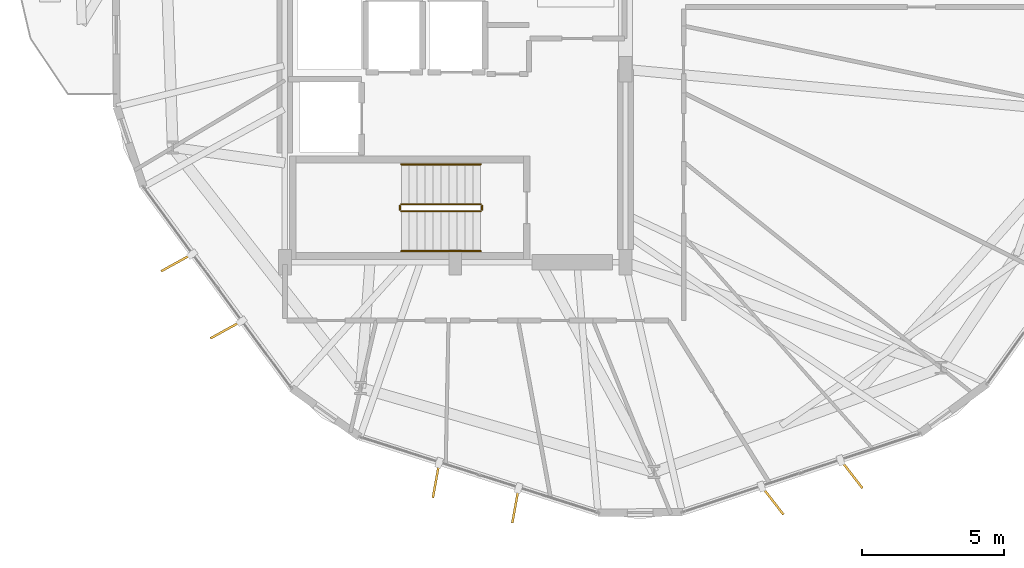
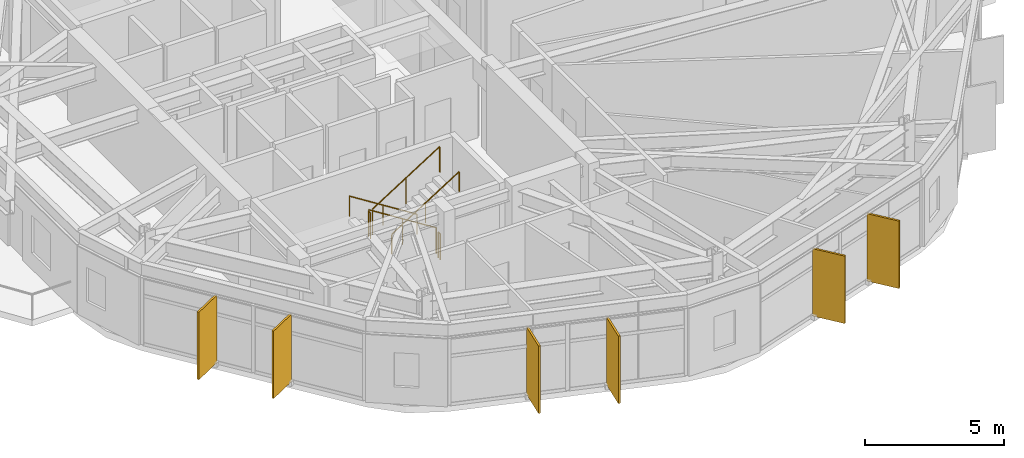
# One storey, part 25 of 27: 6 railings, 6 shading devices.
"""IFC4 building model written with IfcOpenShell, lengths in metres."""

import ifcopenshell
import ifcopenshell.guid

model = None  # the IFC model being written
_history = None  # IfcOwnerHistory: only IFC2X3 demands one
_inside = {}  # id of a spatial element -> (the spatial element, [elements in it])
_under = {}  # id of a project, library or spatial element -> (it, [spatial elements below it])
_declared = {}  # id of a project -> (the project, [libraries it declares])
_typed = {}  # id of a type object -> (the type object, [elements of that type])
_made_of = {}  # id of a material, layer set ... -> (it, [elements and type objects made of it])


def new_model(schema):
    """Start an empty IFC model of exactly this schema.

    Asked for "IFC4X3", IfcOpenShell would pick the latest addendum, in which some entities
    have other attributes; the version numbers below select the first issue.
    IFC2X3 requires an IfcOwnerHistory on every rooted entity: one is made here for all.
    """
    global model, _history
    if schema == "IFC4X3":
        model = ifcopenshell.file(schema_version=(4, 3, 0, 0))
    else:
        model = ifcopenshell.file(schema=schema)
    _inside.clear()
    _under.clear()
    _declared.clear()
    _typed.clear()
    _made_of.clear()
    _history = None
    if model.schema == "IFC2X3":
        org = make("IfcOrganization", Name="unknown")
        user = make(
            "IfcPersonAndOrganization",
            ThePerson=make("IfcPerson", FamilyName="unknown"),
            TheOrganization=org,
        )
        app = make(
            "IfcApplication",
            ApplicationDeveloper=org,
            Version="unknown",
            ApplicationFullName="unknown",
            ApplicationIdentifier="unknown",
        )
        _history = make(
            "IfcOwnerHistory",
            OwningUser=user,
            OwningApplication=app,
            ChangeAction="ADDED",
            CreationDate=0,
        )
    return model


def make(cls, **values):
    """One entity of the class cls with the attributes given. An attribute that is None is left unset."""
    return model.create_entity(
        cls, **{name: value for name, value in values.items() if value is not None}
    )


def rooted(cls, **values):
    """An entity with a GlobalId (a new one), such as an element, a storey or a relation."""
    return make(cls, GlobalId=ifcopenshell.guid.new(), OwnerHistory=_history, **values)


def si_unit(unit_type, name, prefix=None):
    """IfcSIUnit, for example si_unit("LENGTHUNIT", "METRE", prefix="MILLI")."""
    return make("IfcSIUnit", UnitType=unit_type, Prefix=prefix, Name=name)


def assignment(units):
    """IfcUnitAssignment: the units of a project."""
    return None if units is None else make("IfcUnitAssignment", Units=units)


def point(xyz):
    """IfcCartesianPoint."""
    return None if xyz is None else make("IfcCartesianPoint", Coordinates=xyz)


def direction(xyz):
    """IfcDirection."""
    return None if xyz is None else make("IfcDirection", DirectionRatios=xyz)


def frame(location, z_axis=None, x_axis=None):
    """IfcAxis2Placement3D, a coordinate frame: its origin and axes. An axis left out is left unset."""
    return make(
        "IfcAxis2Placement3D",
        Location=point(location),
        Axis=direction(z_axis),
        RefDirection=direction(x_axis),
    )


def frame_2d(location, x_axis=None):
    """IfcAxis2Placement2D, a coordinate frame in the plane: its origin and x axis."""
    return make(
        "IfcAxis2Placement2D", Location=point(location), RefDirection=direction(x_axis)
    )


def origin():
    """The frame at (0, 0, 0) with its axes left unset."""
    return frame((0.0, 0.0, 0.0))


def origin_2d():
    """The frame at (0, 0) in the plane with its x axis left unset."""
    return frame_2d((0.0, 0.0))


def place(relative_to, where):
    """IfcLocalPlacement: puts the frame where relative to a parent placement (None: the world)."""
    return make(
        "IfcLocalPlacement", PlacementRelTo=relative_to, RelativePlacement=where
    )


def context(
    kind, dimensions, precision=None, world=None, true_north=None, identifier=None
):
    """IfcGeometricRepresentationContext, for example the 3D "Model" context."""
    return make(
        "IfcGeometricRepresentationContext",
        ContextIdentifier=identifier,
        ContextType=kind,
        CoordinateSpaceDimension=dimensions,
        Precision=precision,
        WorldCoordinateSystem=world,
        TrueNorth=true_north,
    )


def subcontext(parent, identifier, kind, view, scale=None):
    """IfcGeometricRepresentationSubContext, for example "Body" below "Model"."""
    return make(
        "IfcGeometricRepresentationSubContext",
        ContextIdentifier=identifier,
        ContextType=kind,
        ParentContext=parent,
        TargetScale=scale,
        TargetView=view,
    )


def project(units=None, contexts=None):
    """IfcProject with its units and contexts."""
    return rooted(
        "IfcProject",
        Name="project",
        RepresentationContexts=contexts,
        UnitsInContext=assignment(units),
    )


def spatial(cls, under=None, at=None, **own):
    """A site, building, storey or space (cls), placed at a placement, below another one or the project."""
    s = rooted(cls, ObjectPlacement=at, **own)
    if under is not None:
        _under.setdefault(under.id(), (under, []))[1].append(s)
    return s


def profile(cls, at=None, kind="AREA", **sizes):
    """A parametric profile (cls). Its sizes go by their IFC names, for example OverallWidth=200.0."""
    return make(cls, ProfileType=kind, Position=at, **sizes)


def rectangle(**sizes):
    """IfcRectangleProfileDef."""
    return profile("IfcRectangleProfileDef", **sizes)


def circle(**sizes):
    """IfcCircleProfileDef."""
    return profile("IfcCircleProfileDef", **sizes)


def extrude(swept, where, along, depth):
    """IfcExtrudedAreaSolid: the profile swept, set in the frame where, extruded along a direction by depth."""
    return make(
        "IfcExtrudedAreaSolid",
        SweptArea=swept,
        Position=where,
        ExtrudedDirection=direction(along),
        Depth=depth,
    )


def shape(context_of_items, identifier, shape_type, items):
    """IfcShapeRepresentation: the items that make up one representation, for example the "Body"."""
    return make(
        "IfcShapeRepresentation",
        ContextOfItems=context_of_items,
        RepresentationIdentifier=identifier,
        RepresentationType=shape_type,
        Items=items,
    )


def material(Name=None, Category=None):
    """IfcMaterial."""
    return make("IfcMaterial", Name=Name, Category=Category)


def layer(
    of_material, thickness, ventilated=None, Name=None, Category=None, Priority=None
):
    """IfcMaterialLayer: one layer of a wall or slab, of a material (None: an air gap)."""
    return make(
        "IfcMaterialLayer",
        Material=of_material,
        LayerThickness=thickness,
        IsVentilated=ventilated,
        Name=Name,
        Category=Category,
        Priority=Priority,
    )


def layer_set(layers, Name=None):
    """IfcMaterialLayerSet."""
    return make("IfcMaterialLayerSet", MaterialLayers=layers, LayerSetName=Name)


def made_of(thing, what):
    """Note that an element or type object is made of a material, layer set ...; save() writes the relation."""
    if what is not None:
        _made_of.setdefault(what.id(), (what, []))[1].append(thing)
    return thing


def type_object(cls, material=None, **own):
    """A type object (cls), such as IfcWallType, which elements share."""
    return made_of(rooted(cls, **own), material)


def element(
    cls,
    number,
    at=None,
    inside=None,
    cuts=None,
    type_object=None,
    material=None,
    context=None,
    identifier="Body",
    shape_type=None,
    held_by="IfcProductDefinitionShape",
    body=None,
    shapes=None,
    **own,
):
    """One element of the class cls, such as IfcWall. Its Tag is "e" and its number.

    at: its placement. inside: the storey or other place that contains it. cuts: it is an
    opening in that element (IfcRelVoidsElement). A single representation is given by context,
    identifier, shape_type and body (its items); several are given by shapes. held_by: the class
    of the entity that holds the representations. save() writes the other relations.
    """
    e = rooted(cls, Tag="e%d" % number, ObjectPlacement=at, **own)
    if body is not None:
        shapes = [shape(context, identifier, shape_type, body)]
    if shapes is not None:
        e.Representation = make(held_by, Representations=shapes)
    if inside is not None:
        _inside.setdefault(inside.id(), (inside, []))[1].append(e)
    if cuts is not None:
        rooted(
            "IfcRelVoidsElement", RelatingBuildingElement=cuts, RelatedOpeningElement=e
        )
    if type_object is not None:
        _typed.setdefault(type_object.id(), (type_object, []))[1].append(e)
    return made_of(e, material)


def aggregate(whole, parts):
    """IfcRelAggregates: a whole, such as a stair, and the parts it consists of."""
    return rooted("IfcRelAggregates", RelatingObject=whole, RelatedObjects=parts)


def save(model, path):
    """Write the relations noted so far, then the file.

    IfcRelAggregates (storeys below a building ...), IfcRelContainedInSpatialStructure (elements
    in a storey), IfcRelDefinesByType, IfcRelAssociatesMaterial and IfcRelDeclares: one each for
    every whole, place, type object, material and project.
    """
    for whole, parts in _under.values():
        aggregate(whole, parts)
    for where, things in _inside.values():
        rooted(
            "IfcRelContainedInSpatialStructure",
            RelatedElements=things,
            RelatingStructure=where,
        )
    for kind, things in _typed.values():
        rooted("IfcRelDefinesByType", RelatedObjects=things, RelatingType=kind)
    for what, things in _made_of.values():
        rooted("IfcRelAssociatesMaterial", RelatedObjects=things, RelatingMaterial=what)
    for by, libraries in _declared.values():
        rooted("IfcRelDeclares", RelatingContext=by, RelatedDefinitions=libraries)
    model.write(path)


model = new_model("IFC4")

# Units and contexts
model_context = context("Model", 3, precision=1e-05, world=origin(), true_north=direction((0.0, 1.0)))
body_context = subcontext(model_context, "Body", "Model", "MODEL_VIEW")
ifc_project = project(units=[si_unit("LENGTHUNIT", "METRE"), si_unit("AREAUNIT", "SQUARE_METRE"), si_unit("VOLUMEUNIT", "CUBIC_METRE"), si_unit("PLANEANGLEUNIT", "RADIAN"), si_unit("MASSUNIT", "GRAM", prefix="KILO")], contexts=[model_context])

# Site, building, storey
site_placement = place(None, origin())
site = spatial("IfcSite", under=ifc_project, at=site_placement, CompositionType="ELEMENT")
building_placement = place(site_placement, origin())
building = spatial("IfcBuilding", under=site, at=building_placement, Name="Soratama Intermodal Tower", CompositionType="ELEMENT")
storey_placement = place(building_placement, frame((0.0, 0.0, 99.10009765625)))
storey = spatial("IfcBuildingStorey", under=building, at=storey_placement, Name="L23", CompositionType="ELEMENT", Elevation=99.10009765625)

# Railings
ifc_material_1 = material(Name="Painted steel stair guardrail", Category="steel")
railing_type_1 = type_object("IfcRailingType", Name="RL-STAIR-GUARD", PredefinedType="GUARDRAIL", material=ifc_material_1)
railing_1_placement = place(storey_placement, frame((39.5, 17.050048828125, 0.17724609375)))
element("IfcRailing", 1, at=railing_1_placement, inside=storey, type_object=railing_type_1, Name="L23 ST-1 stair guard 1", PredefinedType="GUARDRAIL", context=body_context, shape_type="SweptSolid", body=[
    extrude(circle(Radius=0.02392578125, at=origin_2d()), frame((0.0, 0.0, 1.1259765625), z_axis=(-0.844908973607, 0.0, 0.534910110503), x_axis=(0.0, -1.0, 0.0)), (0.0, 0.0, 1.0), 3.31396484375),
    extrude(circle(Radius=0.02099609375, at=origin_2d()), origin(), (0.0, 0.0, 1.0), 1.101806640625),
    extrude(circle(Radius=0.02099609375, at=origin_2d()), frame((-1.39990234375, 0.0, 0.88623046875)), (0.0, 0.0, 1.0), 1.101806640625),
    extrude(circle(Radius=0.02099609375, at=origin_2d()), frame((-2.800048828125, 0.0, 1.772705078125)), (0.0, 0.0, 1.0), 1.101806640625),
])
railing_2_placement = place(storey_placement, frame((36.64990234375, 17.0, 1.949951171875)))
element("IfcRailing", 2, at=railing_2_placement, inside=storey, type_object=railing_type_1, Name="L23 ST-1 stair guard 2", PredefinedType="GUARDRAIL", context=body_context, shape_type="SweptSolid", body=[
    extrude(circle(Radius=0.02392578125, at=origin_2d()), frame((0.0, 0.0, 1.1259765625), z_axis=(0.0, -1.0, 0.0), x_axis=(1.0, 0.0, 0.0)), (0.0, 0.0, 1.0), 0.14990234375),
    extrude(circle(Radius=0.02099609375, at=origin_2d()), origin(), (0.0, 0.0, 1.0), 1.101806640625),
    extrude(circle(Radius=0.02099609375, at=origin_2d()), frame((0.0, -0.14990234375, 0.0)), (0.0, 0.0, 1.0), 1.101806640625),
])
railing_3_placement = place(storey_placement, frame((36.699951171875, 16.800048828125, 2.127197265625)))
element("IfcRailing", 3, at=railing_3_placement, inside=storey, type_object=railing_type_1, Name="L23 ST-1 stair guard 3", PredefinedType="GUARDRAIL", context=body_context, shape_type="SweptSolid", body=[
    extrude(circle(Radius=0.02392578125, at=origin_2d()), frame((0.0, 0.0, 1.1259765625), z_axis=(0.844908973607, 0.0, 0.534910110503), x_axis=(0.0, 1.0, 0.0)), (0.0, 0.0, 1.0), 3.31396484375),
    extrude(circle(Radius=0.02099609375, at=origin_2d()), origin(), (0.0, 0.0, 1.0), 1.101806640625),
    extrude(circle(Radius=0.02099609375, at=origin_2d()), frame((1.39990234375, 0.0, 0.88623046875)), (0.0, 0.0, 1.0), 1.101806640625),
    extrude(circle(Radius=0.02099609375, at=origin_2d()), frame((2.800048828125, 0.0, 1.772705078125)), (0.0, 0.0, 1.0), 1.101806640625),
])
railing_4_placement = place(storey_placement, frame((39.550048828125, 17.0, 0.0)))
element("IfcRailing", 4, at=railing_4_placement, inside=storey, type_object=railing_type_1, Name="L23 ST-1 stair guard 4", PredefinedType="GUARDRAIL", context=body_context, shape_type="SweptSolid", body=[
    extrude(circle(Radius=0.02392578125, at=origin_2d()), frame((0.0, 0.0, 1.1259765625), z_axis=(0.0, -1.0, 0.0), x_axis=(1.0, 0.0, 0.0)), (0.0, 0.0, 1.0), 0.14990234375),
    extrude(circle(Radius=0.02099609375, at=origin_2d()), origin(), (0.0, 0.0, 1.0), 1.101806640625),
    extrude(circle(Radius=0.02099609375, at=origin_2d()), frame((0.0, -0.14990234375, 0.0)), (0.0, 0.0, 1.0), 1.101806640625),
])
ifc_material_2 = material(Name="Brushed stainless steel handrail", Category="steel")
railing_type_2 = type_object("IfcRailingType", Name="RL-STAIR-HAND", PredefinedType="HANDRAIL", material=ifc_material_2)
railing_5_placement = place(storey_placement, frame((39.5, 18.449951171875, 0.17724609375)))
element("IfcRailing", 5, at=railing_5_placement, inside=storey, type_object=railing_type_2, Name="L23 ST-1 stair handrail 1", PredefinedType="HANDRAIL", context=body_context, shape_type="SweptSolid", body=[
    extrude(circle(Radius=0.02392578125, at=origin_2d()), frame((0.0, 0.0, 0.8759765625), z_axis=(-0.844908973607, 0.0, 0.534910110503), x_axis=(0.0, -1.0, 0.0)), (0.0, 0.0, 1.0), 3.31396484375),
    extrude(circle(Radius=0.02099609375, at=origin_2d()), origin(), (0.0, 0.0, 1.0), 0.851806640625),
    extrude(circle(Radius=0.02099609375, at=origin_2d()), frame((-1.39990234375, 0.0, 0.88623046875)), (0.0, 0.0, 1.0), 0.851806640625),
    extrude(circle(Radius=0.02099609375, at=origin_2d()), frame((-2.800048828125, 0.0, 1.772705078125)), (0.0, 0.0, 1.0), 0.851806640625),
])
railing_6_placement = place(storey_placement, frame((36.699951171875, 15.39990234375, 2.127197265625)))
element("IfcRailing", 6, at=railing_6_placement, inside=storey, type_object=railing_type_2, Name="L23 ST-1 stair handrail 2", PredefinedType="HANDRAIL", context=body_context, shape_type="SweptSolid", body=[
    extrude(circle(Radius=0.02392578125, at=origin_2d()), frame((0.0, 0.0, 0.8759765625), z_axis=(0.844908973607, 0.0, 0.534910110503), x_axis=(0.0, 1.0, 0.0)), (0.0, 0.0, 1.0), 3.31396484375),
    extrude(circle(Radius=0.02099609375, at=origin_2d()), origin(), (0.0, 0.0, 1.0), 0.851806640625),
    extrude(circle(Radius=0.02099609375, at=origin_2d()), frame((1.39990234375, 0.0, 0.88623046875)), (0.0, 0.0, 1.0), 0.851806640625),
    extrude(circle(Radius=0.02099609375, at=origin_2d()), frame((2.800048828125, 0.0, 1.772705078125)), (0.0, 0.0, 1.0), 0.851806640625),
])

# Shading devices
ifc_material_3 = material(Name="Champagne anodised aluminium solar fin", Category="aluminium")
ifc_layer = layer(ifc_material_3, 0.080078125)
ifc_layer_set = layer_set([ifc_layer], Name="Champagne anodised aluminium solar fin")
shading_device_type = type_object("IfcShadingDeviceType", Name="SH-FIN-1250", PredefinedType="USERDEFINED", material=ifc_layer_set)
for number, where, z_axis, x_axis, name in (
    (7, (28.78662109375, 14.989990234375, 0.02001953125), (0.0, 0.0, 1.0), (-0.87512691893, -0.483893454972, 0.0), "L23 Solar Fin F06-1"),
    (8, (30.52685546875, 12.6259765625, 0.02001953125), (0.0, 0.0, 1.0), (-0.87512691893, -0.483893454972, 0.0), "L23 Solar Fin F06-2"),
    (9, (37.925537109375, 7.321044921875, 0.02001953125), (0.0, 0.0, 1.0), (-0.177428278601, -0.984133733774, 0.0), "L23 Solar Fin F07-1"),
    (10, (40.72314453125, 6.431396484375, 0.02001953125), (0.0, 0.0, 1.0), (-0.177428278601, -0.984133733774, 0.0), "L23 Solar Fin F07-2"),
    (11, (49.78271484375, 6.610107421875, 0.02001953125), (0.0, 0.0, 1.0), (0.612631200187, -0.790368909154, 0.0), "L23 Solar Fin F08-1"),
    (12, (52.56884765625, 7.534912109375, 0.02001953125), (0.0, 0.0, 1.0), (0.612631200187, -0.790368909154, 0.0), "L23 Solar Fin F08-2"),
):
    element("IfcShadingDevice", number, at=place(storey_placement, frame(where, z_axis=z_axis, x_axis=x_axis)), inside=storey, type_object=shading_device_type, Name=name, ObjectType="FIN", PredefinedType="USERDEFINED", context=body_context, shape_type="SweptSolid", body=[
        extrude(rectangle(XDim=1.25, YDim=0.080078125, at=origin_2d()), origin(), (0.0, 0.0, 1.0), 2.958984375),
    ])

save(model, "model.ifc")
